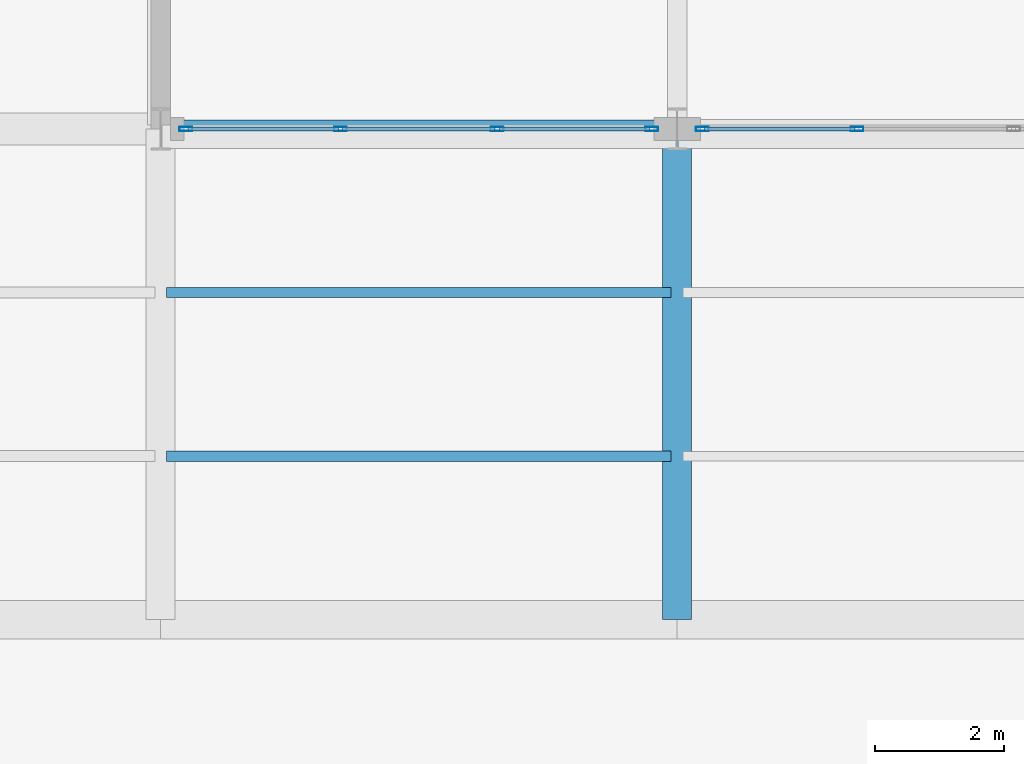
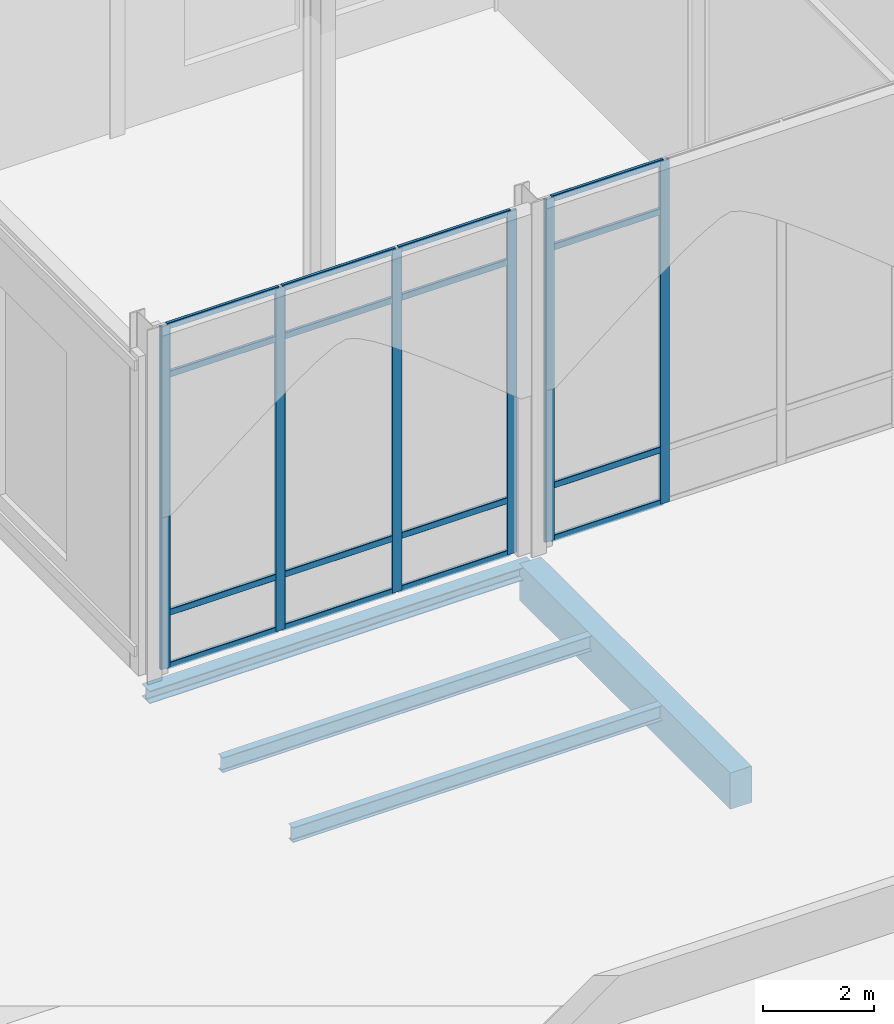
# One storey, part 69 of 176: 22 members, 4 beams, 2 elements without a shape of their own.
"""IFC4 building model written with IfcOpenShell, lengths in metres."""

from ifc_helpers import new_model, si_unit, direction, frame, origin, origin_2d, place, context, subcontext, project, spatial, rectangle, hollow_rectangle, i_section, extrude, material, layer, layer_set, material_profile, profile_set, type_object, element, aggregate, save


model = new_model("IFC4")

# Units and contexts
model_context = context("Model", 3, precision=1e-05, world=origin(), true_north=direction((0.0, 1.0)))
body_context = subcontext(model_context, "Body", "Model", "MODEL_VIEW")
ifc_project = project(units=[si_unit("LENGTHUNIT", "METRE"), si_unit("AREAUNIT", "SQUARE_METRE"), si_unit("VOLUMEUNIT", "CUBIC_METRE"), si_unit("PLANEANGLEUNIT", "RADIAN"), si_unit("MASSUNIT", "GRAM", prefix="KILO")], contexts=[model_context])

# Site, building, storey
site_placement = place(None, origin())
site = spatial("IfcSite", under=ifc_project, at=site_placement, CompositionType="ELEMENT")
building_placement = place(site_placement, origin())
building = spatial("IfcBuilding", under=site, at=building_placement, Name="Vekula Escarpment Museum", CompositionType="ELEMENT")
storey_placement = place(building_placement, origin())
storey = spatial("IfcBuildingStorey", under=building, at=storey_placement, Name="L01", CompositionType="ELEMENT", Elevation=0.0)

# Beams
ifc_material_1 = material(Name="Steel S355", Category="steel")
ifc_material_profile_1 = material_profile(ifc_material_1, i_section(OverallWidth=0.280029296875, OverallDepth=0.280029296875, WebThickness=0.010498046875, FlangeThickness=0.01806640625, FilletRadius=0.02392578125, at=origin_2d()), Name="HEB 280")
ifc_profile_set_1 = profile_set([ifc_material_profile_1], Name="Steel S355")
beam_type_1 = type_object("IfcBeamType", Name="BM-GIRD-HEB280", PredefinedType="BEAM", material=ifc_profile_set_1)
beam_1_placement = place(storey_placement, frame((78.0, 120.800048828125, -0.43994140625), z_axis=(1.0, 0.0, 0.0), x_axis=(0.0, 1.0, 0.0)))
element("IfcBeam", 1, at=beam_1_placement, inside=storey, type_object=beam_type_1, Name="Beam X L01 0340", PredefinedType="BEAM", context=body_context, shape_type="SweptSolid", body=[
    extrude(i_section(OverallWidth=0.280029296875, OverallDepth=0.280029296875, WebThickness=0.010498046875, FlangeThickness=0.01806640625, FilletRadius=0.02392578125, at=origin_2d()), origin(), (0.0, 0.0, 1.0), 8.0),
])
ifc_material_2 = material(Name="Steel S355", Category="steel")
ifc_material_profile_2 = material_profile(ifc_material_2, i_section(OverallWidth=0.159912109375, OverallDepth=0.330078125, WebThickness=0.007568359375, FlangeThickness=0.011474609375, FilletRadius=0.01806640625, at=origin_2d()), Name="IPE 330")
ifc_profile_set_2 = profile_set([ifc_material_profile_2], Name="Steel S355")
beam_type_2 = type_object("IfcBeamType", Name="BM-JST-IPE330", PredefinedType="JOIST", material=ifc_profile_set_2)
for number, where, z_axis, x_axis, name in (
    (2, (78.090087890625, 115.7333984375, -0.465087890625), (1.0, 0.0, 0.0), (0.0, 1.0, 0.0), "Secondary Joist L01 0265"),
    (3, (78.090087890625, 118.2666015625, -0.465087890625), (1.0, 0.0, 0.0), (0.0, 1.0, 0.0), "Secondary Joist L01 0266"),
):
    element("IfcBeam", number, at=place(storey_placement, frame(where, z_axis=z_axis, x_axis=x_axis)), inside=storey, type_object=beam_type_2, Name=name, PredefinedType="JOIST", context=body_context, shape_type="SweptSolid", body=[
        extrude(i_section(OverallWidth=0.159912109375, OverallDepth=0.330078125, WebThickness=0.007568359375, FlangeThickness=0.011474609375, FilletRadius=0.01806640625, at=origin_2d()), origin(), (0.0, 0.0, 1.0), 7.81982421875),
    ])
ifc_material_3 = material(Name="Concrete C35/45", Category="concrete")
ifc_material_profile_3 = material_profile(ifc_material_3, rectangle(XDim=0.449951171875, YDim=0.800048828125, at=origin_2d()), Name="RC 450x800")
ifc_profile_set_3 = profile_set([ifc_material_profile_3], Name="Concrete C35/45")
beam_type_3 = type_object("IfcBeamType", Name="BM-PLINTH-RC", PredefinedType="BEAM", material=ifc_profile_set_3)
beam_2_placement = place(storey_placement, frame((86.0, 113.199951171875, -0.699951171875), z_axis=(0.0, 1.0, 0.0), x_axis=(-1.0, 0.0, 0.0)))
element("IfcBeam", 4, at=beam_2_placement, inside=storey, type_object=beam_type_3, Name="Beam Y L01 0573", PredefinedType="BEAM", context=body_context, shape_type="SweptSolid", body=[
    extrude(rectangle(XDim=0.449951171875, YDim=0.800048828125, at=origin_2d()), origin(), (0.0, 0.0, 1.0), 7.60009765625),
])

# Curtain wall, members
ifc_material_4 = material(Name="Aluminium thermally broken framing", Category="aluminium")
ifc_layer_1 = layer(ifc_material_4, 0.199951171875)
ifc_layer_set_1 = layer_set([ifc_layer_1], Name="Aluminium thermally broken framing")
curtain_wall_type_1 = type_object("IfcCurtainWallType", Name="CW-SYS-03", PredefinedType="NOTDEFINED", material=ifc_layer_set_1)
curtain_wall_1_placement = place(storey_placement, origin())
curtain_wall_1 = element("IfcCurtainWall", 5, at=curtain_wall_1_placement, inside=storey, type_object=curtain_wall_type_1, Name="Curtain Wall CW-L01-033", PredefinedType="NOTDEFINED")
ifc_material_5 = material(Name="Aluminium anodized mullion", Category="aluminium")
ifc_material_profile_4 = material_profile(ifc_material_5, hollow_rectangle(XDim=0.06494140625, YDim=0.199951171875, WallThickness=0.00390625, InnerFilletRadius=0.00390625, OuterFilletRadius=0.008056640625, at=origin_2d()), Name="ALU 200x65x4")
ifc_profile_set_4 = profile_set([ifc_material_profile_4], Name="Aluminium anodized mullion")
member_type_1 = type_object("IfcMemberType", Name="CW-MUL-200", PredefinedType="MULLION", material=ifc_profile_set_4)
member_1_placement = place(storey_placement, frame((78.392578125, 120.800048828125, 0.0), z_axis=(0.0, 0.0, 1.0), x_axis=(0.0, 1.0, 0.0)))
member_1 = element("IfcMember", 6, at=member_1_placement, type_object=member_type_1, Name="CW-03 mullion 1", PredefinedType="MULLION", context=body_context, shape_type="SweptSolid", body=[
    extrude(hollow_rectangle(XDim=0.06494140625, YDim=0.199951171875, WallThickness=0.00390625, InnerFilletRadius=0.00390625, OuterFilletRadius=0.008056640625, at=origin_2d()), origin(), (0.0, 0.0, 1.0), 7.5400390625),
])
member_2_placement = place(storey_placement, frame((80.78662109375, 120.800048828125, 0.0), z_axis=(0.0, 0.0, 1.0), x_axis=(0.0, 1.0, 0.0)))
member_2 = element("IfcMember", 7, at=member_2_placement, type_object=member_type_1, Name="CW-03 mullion 2", PredefinedType="MULLION", context=body_context, shape_type="SweptSolid", body=[
    extrude(hollow_rectangle(XDim=0.06494140625, YDim=0.199951171875, WallThickness=0.00390625, InnerFilletRadius=0.00390625, OuterFilletRadius=0.008056640625, at=origin_2d()), origin(), (0.0, 0.0, 1.0), 7.5400390625),
])
member_3_placement = place(storey_placement, frame((83.21337890625, 120.800048828125, 0.0), z_axis=(0.0, 0.0, 1.0), x_axis=(0.0, 1.0, 0.0)))
member_3 = element("IfcMember", 8, at=member_3_placement, type_object=member_type_1, Name="CW-03 mullion 3", PredefinedType="MULLION", context=body_context, shape_type="SweptSolid", body=[
    extrude(hollow_rectangle(XDim=0.06494140625, YDim=0.199951171875, WallThickness=0.00390625, InnerFilletRadius=0.00390625, OuterFilletRadius=0.008056640625, at=origin_2d()), origin(), (0.0, 0.0, 1.0), 7.5400390625),
])
member_4_placement = place(storey_placement, frame((85.607421875, 120.800048828125, 0.0), z_axis=(0.0, 0.0, 1.0), x_axis=(0.0, 1.0, 0.0)))
member_4 = element("IfcMember", 9, at=member_4_placement, type_object=member_type_1, Name="CW-03 mullion 4", PredefinedType="MULLION", context=body_context, shape_type="SweptSolid", body=[
    extrude(hollow_rectangle(XDim=0.06494140625, YDim=0.199951171875, WallThickness=0.00390625, InnerFilletRadius=0.00390625, OuterFilletRadius=0.008056640625, at=origin_2d()), origin(), (0.0, 0.0, 1.0), 7.5400390625),
])

ifc_material_6 = material(Name="Aluminium thermally broken framing", Category="aluminium")
ifc_layer_2 = layer(ifc_material_6, 0.199951171875)
ifc_layer_set_2 = layer_set([ifc_layer_2], Name="Aluminium thermally broken framing")
curtain_wall_type_2 = type_object("IfcCurtainWallType", Name="CW-SYS-04", PredefinedType="NOTDEFINED", material=ifc_layer_set_2)
curtain_wall_2_placement = place(storey_placement, origin())
curtain_wall_2 = element("IfcCurtainWall", 10, at=curtain_wall_2_placement, inside=storey, type_object=curtain_wall_type_2, Name="Curtain Wall CW-L01-034", PredefinedType="NOTDEFINED")
member_5_placement = place(storey_placement, frame((86.392578125, 120.800048828125, 0.0), z_axis=(0.0, 0.0, 1.0), x_axis=(0.0, 1.0, 0.0)))
member_5 = element("IfcMember", 11, at=member_5_placement, type_object=member_type_1, Name="CW-04 mullion 1", PredefinedType="MULLION", context=body_context, shape_type="SweptSolid", body=[
    extrude(hollow_rectangle(XDim=0.06494140625, YDim=0.199951171875, WallThickness=0.00390625, InnerFilletRadius=0.00390625, OuterFilletRadius=0.008056640625, at=origin_2d()), origin(), (0.0, 0.0, 1.0), 7.5400390625),
])
member_6_placement = place(storey_placement, frame((88.78662109375, 120.800048828125, 0.0), z_axis=(0.0, 0.0, 1.0), x_axis=(0.0, 1.0, 0.0)))
member_6 = element("IfcMember", 12, at=member_6_placement, type_object=member_type_1, Name="CW-04 mullion 2", PredefinedType="MULLION", context=body_context, shape_type="SweptSolid", body=[
    extrude(hollow_rectangle(XDim=0.06494140625, YDim=0.199951171875, WallThickness=0.00390625, InnerFilletRadius=0.00390625, OuterFilletRadius=0.008056640625, at=origin_2d()), origin(), (0.0, 0.0, 1.0), 7.5400390625),
])

# Member
ifc_material_7 = material(Name="Aluminium anodized transom", Category="aluminium")
ifc_material_profile_5 = material_profile(ifc_material_7, hollow_rectangle(XDim=0.06494140625, YDim=0.139892578125, WallThickness=0.00390625, InnerFilletRadius=0.00390625, OuterFilletRadius=0.008056640625, at=origin_2d()), Name="ALU 140x65x4")
ifc_profile_set_5 = profile_set([ifc_material_profile_5], Name="Aluminium anodized transom")
member_type_2 = type_object("IfcMemberType", Name="CW-TRN-140", PredefinedType="USERDEFINED", material=ifc_profile_set_5)
member_7_placement = place(storey_placement, frame((78.425048828125, 120.800048828125, 0.032470703125), z_axis=(1.0, 0.0, 0.0), x_axis=(0.0, 1.0, 0.0)))
member_7 = element("IfcMember", 13, at=member_7_placement, type_object=member_type_2, Name="CW-03 transom 1.1", ObjectType="TRANSOM", PredefinedType="USERDEFINED", context=body_context, shape_type="SweptSolid", body=[
    extrude(hollow_rectangle(XDim=0.06494140625, YDim=0.139892578125, WallThickness=0.00390625, InnerFilletRadius=0.00390625, OuterFilletRadius=0.008056640625, at=origin_2d()), origin(), (0.0, 0.0, 1.0), 2.3291015625),
])

member_8_placement = place(storey_placement, frame((78.425048828125, 120.800048828125, 1.199951171875), z_axis=(1.0, 0.0, 0.0), x_axis=(0.0, 1.0, 0.0)))
member_8 = element("IfcMember", 14, at=member_8_placement, type_object=member_type_2, Name="CW-03 transom 1.2", ObjectType="TRANSOM", PredefinedType="USERDEFINED", context=body_context, shape_type="SweptSolid", body=[
    extrude(hollow_rectangle(XDim=0.06494140625, YDim=0.139892578125, WallThickness=0.00390625, InnerFilletRadius=0.00390625, OuterFilletRadius=0.008056640625, at=origin_2d()), origin(), (0.0, 0.0, 1.0), 2.3291015625),
])

member_9_placement = place(storey_placement, frame((78.425048828125, 120.800048828125, 6.43994140625), z_axis=(1.0, 0.0, 0.0), x_axis=(0.0, 1.0, 0.0)))
member_9 = element("IfcMember", 15, at=member_9_placement, type_object=member_type_2, Name="CW-03 transom 1.3", ObjectType="TRANSOM", PredefinedType="USERDEFINED", context=body_context, shape_type="SweptSolid", body=[
    extrude(hollow_rectangle(XDim=0.06494140625, YDim=0.139892578125, WallThickness=0.00390625, InnerFilletRadius=0.00390625, OuterFilletRadius=0.008056640625, at=origin_2d()), origin(), (0.0, 0.0, 1.0), 2.3291015625),
])

member_10_placement = place(storey_placement, frame((78.425048828125, 120.800048828125, 7.507568359375), z_axis=(1.0, 0.0, 0.0), x_axis=(0.0, 1.0, 0.0)))
member_10 = element("IfcMember", 16, at=member_10_placement, type_object=member_type_2, Name="CW-03 transom 1.4", ObjectType="TRANSOM", PredefinedType="USERDEFINED", context=body_context, shape_type="SweptSolid", body=[
    extrude(hollow_rectangle(XDim=0.06494140625, YDim=0.139892578125, WallThickness=0.00390625, InnerFilletRadius=0.00390625, OuterFilletRadius=0.008056640625, at=origin_2d()), origin(), (0.0, 0.0, 1.0), 2.3291015625),
])

member_11_placement = place(storey_placement, frame((80.819091796875, 120.800048828125, 0.032470703125), z_axis=(1.0, 0.0, 0.0), x_axis=(0.0, 1.0, 0.0)))
member_11 = element("IfcMember", 17, at=member_11_placement, type_object=member_type_2, Name="CW-03 transom 2.1", ObjectType="TRANSOM", PredefinedType="USERDEFINED", context=body_context, shape_type="SweptSolid", body=[
    extrude(hollow_rectangle(XDim=0.06494140625, YDim=0.139892578125, WallThickness=0.00390625, InnerFilletRadius=0.00390625, OuterFilletRadius=0.008056640625, at=origin_2d()), origin(), (0.0, 0.0, 1.0), 2.36181640625),
])

member_12_placement = place(storey_placement, frame((80.819091796875, 120.800048828125, 1.199951171875), z_axis=(1.0, 0.0, 0.0), x_axis=(0.0, 1.0, 0.0)))
member_12 = element("IfcMember", 18, at=member_12_placement, type_object=member_type_2, Name="CW-03 transom 2.2", ObjectType="TRANSOM", PredefinedType="USERDEFINED", context=body_context, shape_type="SweptSolid", body=[
    extrude(hollow_rectangle(XDim=0.06494140625, YDim=0.139892578125, WallThickness=0.00390625, InnerFilletRadius=0.00390625, OuterFilletRadius=0.008056640625, at=origin_2d()), origin(), (0.0, 0.0, 1.0), 2.36181640625),
])

member_13_placement = place(storey_placement, frame((80.819091796875, 120.800048828125, 6.43994140625), z_axis=(1.0, 0.0, 0.0), x_axis=(0.0, 1.0, 0.0)))
member_13 = element("IfcMember", 19, at=member_13_placement, type_object=member_type_2, Name="CW-03 transom 2.3", ObjectType="TRANSOM", PredefinedType="USERDEFINED", context=body_context, shape_type="SweptSolid", body=[
    extrude(hollow_rectangle(XDim=0.06494140625, YDim=0.139892578125, WallThickness=0.00390625, InnerFilletRadius=0.00390625, OuterFilletRadius=0.008056640625, at=origin_2d()), origin(), (0.0, 0.0, 1.0), 2.36181640625),
])

member_14_placement = place(storey_placement, frame((80.819091796875, 120.800048828125, 7.507568359375), z_axis=(1.0, 0.0, 0.0), x_axis=(0.0, 1.0, 0.0)))
member_14 = element("IfcMember", 20, at=member_14_placement, type_object=member_type_2, Name="CW-03 transom 2.4", ObjectType="TRANSOM", PredefinedType="USERDEFINED", context=body_context, shape_type="SweptSolid", body=[
    extrude(hollow_rectangle(XDim=0.06494140625, YDim=0.139892578125, WallThickness=0.00390625, InnerFilletRadius=0.00390625, OuterFilletRadius=0.008056640625, at=origin_2d()), origin(), (0.0, 0.0, 1.0), 2.36181640625),
])

member_15_placement = place(storey_placement, frame((83.245849609375, 120.800048828125, 0.032470703125), z_axis=(1.0, 0.0, 0.0), x_axis=(0.0, 1.0, 0.0)))
member_15 = element("IfcMember", 21, at=member_15_placement, type_object=member_type_2, Name="CW-03 transom 3.1", ObjectType="TRANSOM", PredefinedType="USERDEFINED", context=body_context, shape_type="SweptSolid", body=[
    extrude(hollow_rectangle(XDim=0.06494140625, YDim=0.139892578125, WallThickness=0.00390625, InnerFilletRadius=0.00390625, OuterFilletRadius=0.008056640625, at=origin_2d()), origin(), (0.0, 0.0, 1.0), 2.3291015625),
])

member_16_placement = place(storey_placement, frame((83.245849609375, 120.800048828125, 1.199951171875), z_axis=(1.0, 0.0, 0.0), x_axis=(0.0, 1.0, 0.0)))
member_16 = element("IfcMember", 22, at=member_16_placement, type_object=member_type_2, Name="CW-03 transom 3.2", ObjectType="TRANSOM", PredefinedType="USERDEFINED", context=body_context, shape_type="SweptSolid", body=[
    extrude(hollow_rectangle(XDim=0.06494140625, YDim=0.139892578125, WallThickness=0.00390625, InnerFilletRadius=0.00390625, OuterFilletRadius=0.008056640625, at=origin_2d()), origin(), (0.0, 0.0, 1.0), 2.3291015625),
])

member_17_placement = place(storey_placement, frame((83.245849609375, 120.800048828125, 6.43994140625), z_axis=(1.0, 0.0, 0.0), x_axis=(0.0, 1.0, 0.0)))
member_17 = element("IfcMember", 23, at=member_17_placement, type_object=member_type_2, Name="CW-03 transom 3.3", ObjectType="TRANSOM", PredefinedType="USERDEFINED", context=body_context, shape_type="SweptSolid", body=[
    extrude(hollow_rectangle(XDim=0.06494140625, YDim=0.139892578125, WallThickness=0.00390625, InnerFilletRadius=0.00390625, OuterFilletRadius=0.008056640625, at=origin_2d()), origin(), (0.0, 0.0, 1.0), 2.3291015625),
])

member_18_placement = place(storey_placement, frame((83.245849609375, 120.800048828125, 7.507568359375), z_axis=(1.0, 0.0, 0.0), x_axis=(0.0, 1.0, 0.0)))
member_18 = element("IfcMember", 24, at=member_18_placement, type_object=member_type_2, Name="CW-03 transom 3.4", ObjectType="TRANSOM", PredefinedType="USERDEFINED", context=body_context, shape_type="SweptSolid", body=[
    extrude(hollow_rectangle(XDim=0.06494140625, YDim=0.139892578125, WallThickness=0.00390625, InnerFilletRadius=0.00390625, OuterFilletRadius=0.008056640625, at=origin_2d()), origin(), (0.0, 0.0, 1.0), 2.3291015625),
])

aggregate(curtain_wall_1, [member_1, member_2, member_3, member_4, member_7, member_8, member_9, member_10, member_11, member_12, member_13, member_14, member_15, member_16, member_17, member_18])

member_19_placement = place(storey_placement, frame((86.425048828125, 120.800048828125, 0.032470703125), z_axis=(1.0, 0.0, 0.0), x_axis=(0.0, 1.0, 0.0)))
member_19 = element("IfcMember", 25, at=member_19_placement, type_object=member_type_2, Name="CW-04 transom 1.1", ObjectType="TRANSOM", PredefinedType="USERDEFINED", context=body_context, shape_type="SweptSolid", body=[
    extrude(hollow_rectangle(XDim=0.06494140625, YDim=0.139892578125, WallThickness=0.00390625, InnerFilletRadius=0.00390625, OuterFilletRadius=0.008056640625, at=origin_2d()), origin(), (0.0, 0.0, 1.0), 2.3291015625),
])

member_20_placement = place(storey_placement, frame((86.425048828125, 120.800048828125, 1.199951171875), z_axis=(1.0, 0.0, 0.0), x_axis=(0.0, 1.0, 0.0)))
member_20 = element("IfcMember", 26, at=member_20_placement, type_object=member_type_2, Name="CW-04 transom 1.2", ObjectType="TRANSOM", PredefinedType="USERDEFINED", context=body_context, shape_type="SweptSolid", body=[
    extrude(hollow_rectangle(XDim=0.06494140625, YDim=0.139892578125, WallThickness=0.00390625, InnerFilletRadius=0.00390625, OuterFilletRadius=0.008056640625, at=origin_2d()), origin(), (0.0, 0.0, 1.0), 2.3291015625),
])

member_21_placement = place(storey_placement, frame((86.425048828125, 120.800048828125, 6.43994140625), z_axis=(1.0, 0.0, 0.0), x_axis=(0.0, 1.0, 0.0)))
member_21 = element("IfcMember", 27, at=member_21_placement, type_object=member_type_2, Name="CW-04 transom 1.3", ObjectType="TRANSOM", PredefinedType="USERDEFINED", context=body_context, shape_type="SweptSolid", body=[
    extrude(hollow_rectangle(XDim=0.06494140625, YDim=0.139892578125, WallThickness=0.00390625, InnerFilletRadius=0.00390625, OuterFilletRadius=0.008056640625, at=origin_2d()), origin(), (0.0, 0.0, 1.0), 2.3291015625),
])

member_22_placement = place(storey_placement, frame((86.425048828125, 120.800048828125, 7.507568359375), z_axis=(1.0, 0.0, 0.0), x_axis=(0.0, 1.0, 0.0)))
member_22 = element("IfcMember", 28, at=member_22_placement, type_object=member_type_2, Name="CW-04 transom 1.4", ObjectType="TRANSOM", PredefinedType="USERDEFINED", context=body_context, shape_type="SweptSolid", body=[
    extrude(hollow_rectangle(XDim=0.06494140625, YDim=0.139892578125, WallThickness=0.00390625, InnerFilletRadius=0.00390625, OuterFilletRadius=0.008056640625, at=origin_2d()), origin(), (0.0, 0.0, 1.0), 2.3291015625),
])

aggregate(curtain_wall_2, [member_5, member_6, member_19, member_20, member_21, member_22])

save(model, "model.ifc")
